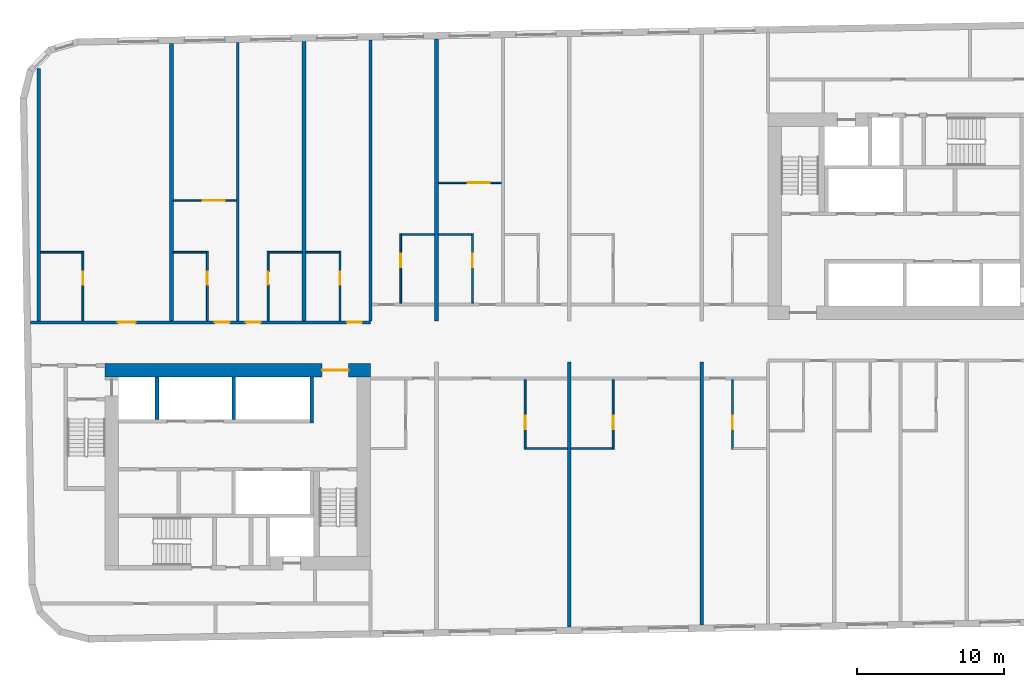
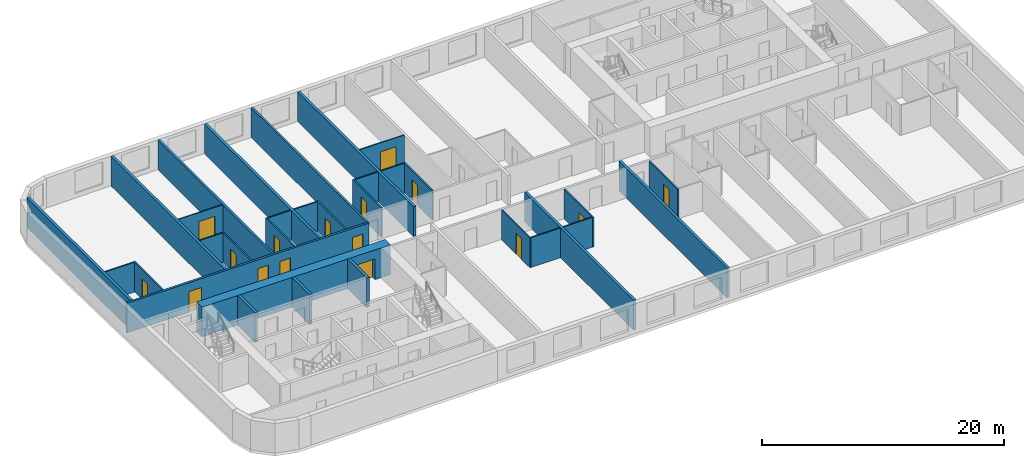
# One storey, part 3 of 11: 32 walls, 16 doors, 16 openings.
"""IFC4 building model written with IfcOpenShell, lengths in metres."""

from ifc_helpers import new_model, si_unit, direction, frame, frame_2d, origin, place, context, subcontext, project, spatial, rectangle, extrude, material, layer, layer_set, type_object, element, fill, save


model = new_model("IFC4")

# Units and contexts
model_context = context("Model", 3, precision=1e-05, world=origin(), true_north=direction((0.0, 1.0)))
body_context = subcontext(model_context, "Body", "Model", "MODEL_VIEW")
ifc_project = project(units=[si_unit("LENGTHUNIT", "METRE"), si_unit("AREAUNIT", "SQUARE_METRE"), si_unit("VOLUMEUNIT", "CUBIC_METRE"), si_unit("PLANEANGLEUNIT", "RADIAN"), si_unit("MASSUNIT", "GRAM", prefix="KILO")], contexts=[model_context])

# Site, building, storey
site_placement = place(None, origin())
site = spatial("IfcSite", under=ifc_project, at=site_placement, CompositionType="ELEMENT")
building_placement = place(site_placement, origin())
building = spatial("IfcBuilding", under=site, at=building_placement, Name="Kajstack Hotel Tower", CompositionType="ELEMENT")
storey_placement = place(building_placement, frame((0.0, 0.0, 254.0)))
storey = spatial("IfcBuildingStorey", under=building, at=storey_placement, Name="L63", CompositionType="ELEMENT", Elevation=254.0)

# Wall, opening, door
ifc_material_1 = material(Name="Concrete C60/75", Category="concrete")
ifc_layer_1 = layer(ifc_material_1, 0.89990234375)
ifc_layer_set_1 = layer_set([ifc_layer_1], Name="Core wall 900")
wall_type_1 = type_object("IfcWallType", Name="Core wall 900", PredefinedType="SHEAR", material=ifc_layer_set_1)
wall_1_placement = place(storey_placement, frame((-31.5, -1.949951171875, 0.0), z_axis=(0.0, 0.0, 1.0), x_axis=(1.0, 0.0, 0.0)))
wall_1 = element("IfcWall", 1, at=wall_1_placement, inside=storey, type_object=wall_type_1, Name="Core wall W RN", PredefinedType="SHEAR", context=body_context, shape_type="SweptSolid", body=[
    extrude(rectangle(XDim=18.0, YDim=0.89990234375, at=frame_2d((9.0, 0.0))), origin(), (0.0, 0.0, 1.0), 3.0),
])
opening_1_placement = place(wall_1_placement, frame((14.72509765625, 0.0, 0.0)))
opening_1 = element("IfcOpeningElement", 2, at=opening_1_placement, cuts=wall_1, Name="Opening 63W07", PredefinedType="OPENING", context=body_context, shape_type="SweptSolid", body=[
    extrude(rectangle(XDim=1.800048828125, YDim=2.10009765625, at=frame_2d((0.89990234375, 1.050048828125))), frame((0.0, 0.4599609375, 0.0), z_axis=(0.0, -1.0, 0.0), x_axis=(1.0, 0.0, 0.0)), (0.0, 0.0, 1.0), 0.919921875),
])
ifc_material_2 = material(Name="Glazed steel frame, fire-rated glass", Category="steel")
door_type_1 = type_object("IfcDoorType", Name="Lobby double door 1800", OperationType="DOUBLE_DOOR_DOUBLE_SWING", PredefinedType="DOOR", material=ifc_material_2)
door_1_placement = place(opening_1_placement, origin())
door_1 = element("IfcDoor", 3, at=door_1_placement, inside=storey, type_object=door_type_1, Name="Door 63W07", OperationType="DOUBLE_DOOR_DOUBLE_SWING", OverallHeight=2.10009765625, OverallWidth=1.800048828125, PredefinedType="DOOR", context=body_context, shape_type="SweptSolid", body=[
    extrude(rectangle(XDim=1.800048828125, YDim=2.10009765625, at=frame_2d((0.89990234375, 1.050048828125))), frame((0.0, 0.02490234375, 0.0), z_axis=(0.0, -1.0, 0.0), x_axis=(1.0, 0.0, 0.0)), (0.0, 0.0, 1.0), 0.050048828125),
])
fill(opening_1, door_1)

# Wall, openings, doors
ifc_material_3 = material(Name="Gypsum board on steel studs, mineral wool", Category="steel")
ifc_layer_2 = layer(ifc_material_3, 0.199951171875)
ifc_layer_set_2 = layer_set([ifc_layer_2], Name="Corridor wall 200")
wall_type_2 = type_object("IfcWallType", Name="Corridor wall 200", PredefinedType="PARTITIONING", material=ifc_layer_set_2)
wall_2_placement = place(storey_placement, frame((-36.56591796875, 1.300048828125, 0.0), z_axis=(0.0, 0.0, 1.0), x_axis=(1.0, 0.0, 0.0)))
wall_2 = element("IfcWall", 4, at=wall_2_placement, inside=storey, type_object=wall_type_2, Name="G-wall-L63-003", PredefinedType="PARTITIONING", context=body_context, shape_type="SweptSolid", body=[
    extrude(rectangle(XDim=23.06591796875, YDim=0.199951171875, at=frame_2d((11.532958984375, 0.0))), origin(), (0.0, 0.0, 1.0), 3.0),
])
opening_2_placement = place(wall_2_placement, frame((5.928955078125, 0.0, 0.0)))
opening_2 = element("IfcOpeningElement", 5, at=opening_2_placement, cuts=wall_2, Name="Opening 63001", PredefinedType="OPENING", context=body_context, shape_type="SweptSolid", body=[
    extrude(rectangle(XDim=1.199951171875, YDim=2.10009765625, at=frame_2d((0.60009765625, 1.050048828125))), frame((0.0, 0.10986328125, 0.0), z_axis=(0.0, -1.0, 0.0), x_axis=(1.0, 0.0, 0.0)), (0.0, 0.0, 1.0), 0.219970703125),
])
opening_3_placement = place(wall_2_placement, frame((12.51611328125, 0.0, 0.0)))
opening_3 = element("IfcOpeningElement", 6, at=opening_3_placement, cuts=wall_2, Name="Opening 63003", PredefinedType="OPENING", context=body_context, shape_type="SweptSolid", body=[
    extrude(rectangle(XDim=1.0, YDim=2.10009765625, at=frame_2d((0.5, 1.050048828125))), frame((0.0, 0.10986328125, 0.0), z_axis=(0.0, -1.0, 0.0), x_axis=(1.0, 0.0, 0.0)), (0.0, 0.0, 1.0), 0.219970703125),
])
opening_4_placement = place(wall_2_placement, frame((14.615966796875, 0.0, 0.0)))
opening_4 = element("IfcOpeningElement", 7, at=opening_4_placement, cuts=wall_2, Name="Opening 63006", PredefinedType="OPENING", context=body_context, shape_type="SweptSolid", body=[
    extrude(rectangle(XDim=1.0, YDim=2.10009765625, at=frame_2d((0.5, 1.050048828125))), frame((0.0, 0.10986328125, 0.0), z_axis=(0.0, -1.0, 0.0), x_axis=(1.0, 0.0, 0.0)), (0.0, 0.0, 1.0), 0.219970703125),
])
opening_5_placement = place(wall_2_placement, frame((21.490966796875, 0.0, 0.0)))
opening_5 = element("IfcOpeningElement", 8, at=opening_5_placement, cuts=wall_2, Name="Opening 63008", PredefinedType="OPENING", context=body_context, shape_type="SweptSolid", body=[
    extrude(rectangle(XDim=1.0, YDim=2.10009765625, at=frame_2d((0.5, 1.050048828125))), frame((0.0, 0.10986328125, 0.0), z_axis=(0.0, -1.0, 0.0), x_axis=(1.0, 0.0, 0.0)), (0.0, 0.0, 1.0), 0.219970703125),
])
ifc_material_4 = material(Name="Oak veneer on timber core, fire-rated leaf", Category="wood")
door_type_2 = type_object("IfcDoorType", Name="Flat entrance door 1000", OperationType="SINGLE_SWING_LEFT", PredefinedType="DOOR", material=ifc_material_4)
door_2_placement = place(opening_3_placement, origin())
door_2 = element("IfcDoor", 9, at=door_2_placement, inside=storey, type_object=door_type_2, Name="G-door-L63-03", OperationType="SINGLE_SWING_LEFT", OverallHeight=2.10009765625, OverallWidth=1.0, PredefinedType="DOOR", context=body_context, shape_type="SweptSolid", body=[
    extrude(rectangle(XDim=1.0, YDim=2.10009765625, at=frame_2d((0.5, 1.050048828125))), frame((0.0, 0.02490234375, 0.0), z_axis=(0.0, -1.0, 0.0), x_axis=(1.0, 0.0, 0.0)), (0.0, 0.0, 1.0), 0.050048828125),
])
fill(opening_3, door_2)
door_3_placement = place(opening_4_placement, origin())
door_3 = element("IfcDoor", 10, at=door_3_placement, inside=storey, type_object=door_type_2, Name="G-door-L63-06", OperationType="SINGLE_SWING_LEFT", OverallHeight=2.10009765625, OverallWidth=1.0, PredefinedType="DOOR", context=body_context, shape_type="SweptSolid", body=[
    extrude(rectangle(XDim=1.0, YDim=2.10009765625, at=frame_2d((0.5, 1.050048828125))), frame((0.0, 0.02490234375, 0.0), z_axis=(0.0, -1.0, 0.0), x_axis=(1.0, 0.0, 0.0)), (0.0, 0.0, 1.0), 0.050048828125),
])
fill(opening_4, door_3)
door_4_placement = place(opening_5_placement, origin())
door_4 = element("IfcDoor", 11, at=door_4_placement, inside=storey, type_object=door_type_2, Name="G-door-L63-08", OperationType="SINGLE_SWING_LEFT", OverallHeight=2.10009765625, OverallWidth=1.0, PredefinedType="DOOR", context=body_context, shape_type="SweptSolid", body=[
    extrude(rectangle(XDim=1.0, YDim=2.10009765625, at=frame_2d((0.5, 1.050048828125))), frame((0.0, 0.02490234375, 0.0), z_axis=(0.0, -1.0, 0.0), x_axis=(1.0, 0.0, 0.0)), (0.0, 0.0, 1.0), 0.050048828125),
])
fill(opening_5, door_4)
door_type_3 = type_object("IfcDoorType", Name="Flat entrance door 1200", OperationType="SINGLE_SWING_LEFT", PredefinedType="DOOR", material=ifc_material_4)
door_5_placement = place(opening_2_placement, origin())
door_5 = element("IfcDoor", 12, at=door_5_placement, inside=storey, type_object=door_type_3, Name="G-door-L63-01", OperationType="SINGLE_SWING_RIGHT", OverallHeight=2.10009765625, OverallWidth=1.199951171875, PredefinedType="DOOR", context=body_context, shape_type="SweptSolid", body=[
    extrude(rectangle(XDim=1.199951171875, YDim=2.10009765625, at=frame_2d((0.60009765625, 1.050048828125))), frame((0.0, 0.02490234375, 0.0), z_axis=(0.0, -1.0, 0.0), x_axis=(1.0, 0.0, 0.0)), (0.0, 0.0, 1.0), 0.050048828125),
])
fill(opening_2, door_5)

# Walls
ifc_material_5 = material(Name="Twin-frame gypsum board on steel studs, mineral wool", Category="steel")
ifc_layer_3 = layer(ifc_material_5, 0.199951171875)
ifc_layer_set_3 = layer_set([ifc_layer_3], Name="Demising wall 200")
wall_type_3 = type_object("IfcWallType", Name="Demising wall 200", PredefinedType="PARTITIONING", material=ifc_layer_set_3)
wall_3_placement = place(storey_placement, frame((-22.5, 1.39990234375, 0.0), z_axis=(0.0, 0.0, 1.0), x_axis=(0.0, 1.0, 0.0)))
element("IfcWall", 13, at=wall_3_placement, inside=storey, type_object=wall_type_3, Name="G-wall-L63-007", PredefinedType="PARTITIONING", context=body_context, shape_type="SweptSolid", body=[
    extrude(rectangle(XDim=18.908203125, YDim=0.199951171875, at=frame_2d((9.4541015625, 0.0))), origin(), (0.0, 0.0, 1.0), 3.0),
])
wall_4_placement = place(storey_placement, frame((-13.5, 1.39990234375, 0.0), z_axis=(0.0, 0.0, 1.0), x_axis=(0.0, 1.0, 0.0)))
element("IfcWall", 14, at=wall_4_placement, inside=storey, type_object=wall_type_3, Name="G-wall-L63-013", PredefinedType="PARTITIONING", context=body_context, shape_type="SweptSolid", body=[
    extrude(rectangle(XDim=19.065185546875, YDim=0.199951171875, at=frame_2d((9.53271484375, 0.0))), origin(), (0.0, 0.0, 1.0), 3.0),
])

# Wall, opening, door
ifc_material_6 = material(Name="Gypsum board and tiled backer on steel studs", Category="steel")
ifc_layer_4 = layer(ifc_material_6, 0.125)
ifc_layer_set_4 = layer_set([ifc_layer_4], Name="En-suite wall 125")
wall_type_4 = type_object("IfcWallType", Name="En-suite wall 125", PredefinedType="PARTITIONING", material=ifc_layer_set_4)
wall_5_placement = place(storey_placement, frame((-33.012939453125, 1.39990234375, 0.0), z_axis=(0.0, 0.0, 1.0), x_axis=(0.0, 1.0, 0.0)))
wall_5 = element("IfcWall", 15, at=wall_5_placement, inside=storey, type_object=wall_type_4, Name="G-wall-L63-005", PredefinedType="PARTITIONING", context=body_context, shape_type="SweptSolid", body=[
    extrude(rectangle(XDim=4.72509765625, YDim=0.125, at=frame_2d((2.362548828125, 0.0))), origin(), (0.0, 0.0, 1.0), 3.0),
])
opening_6_placement = place(wall_5_placement, frame((2.449951171875, 0.0, 0.0)))
opening_6 = element("IfcOpeningElement", 16, at=opening_6_placement, cuts=wall_5, Name="Opening 63002", PredefinedType="OPENING", context=body_context, shape_type="SweptSolid", body=[
    extrude(rectangle(XDim=0.89990234375, YDim=2.10009765625, at=frame_2d((0.449951171875, 1.050048828125))), frame((0.0, 0.072509765625, 0.0), z_axis=(0.0, -1.0, 0.0), x_axis=(1.0, 0.0, 0.0)), (0.0, 0.0, 1.0), 0.14501953125),
])
ifc_material_7 = material(Name="Painted timber door leaf", Category="wood")
door_type_4 = type_object("IfcDoorType", Name="Room door 900", OperationType="SINGLE_SWING_LEFT", PredefinedType="DOOR", material=ifc_material_7)
door_6_placement = place(opening_6_placement, origin())
door_6 = element("IfcDoor", 17, at=door_6_placement, inside=storey, type_object=door_type_4, Name="G-door-L63-02", OperationType="SINGLE_SWING_LEFT", OverallHeight=2.10009765625, OverallWidth=0.89990234375, PredefinedType="DOOR", context=body_context, shape_type="SweptSolid", body=[
    extrude(rectangle(XDim=0.89990234375, YDim=2.10009765625, at=frame_2d((0.449951171875, 1.050048828125))), frame((0.0, 0.02490234375, 0.0), z_axis=(0.0, -1.0, 0.0), x_axis=(1.0, 0.0, 0.0)), (0.0, 0.0, 1.0), 0.050048828125),
])
fill(opening_6, door_6)

# Wall
wall_6_placement = place(storey_placement, frame((-35.875, 6.06201171875, 0.0), z_axis=(0.0, 0.0, 1.0), x_axis=(1.0, 0.0, 0.0)))
element("IfcWall", 18, at=wall_6_placement, inside=storey, type_object=wall_type_4, Name="G-wall-L63-006", PredefinedType="PARTITIONING", context=body_context, shape_type="SweptSolid", body=[
    extrude(rectangle(XDim=2.800048828125, YDim=0.125, at=frame_2d((1.39990234375, 0.0))), origin(), (0.0, 0.0, 1.0), 3.0),
])

# Wall, opening, door
wall_7_placement = place(storey_placement, frame((-24.56201171875, 1.39990234375, 0.0), z_axis=(0.0, 0.0, 1.0), x_axis=(0.0, 1.0, 0.0)))
wall_7 = element("IfcWall", 19, at=wall_7_placement, inside=storey, type_object=wall_type_4, Name="G-wall-L63-008", PredefinedType="PARTITIONING", context=body_context, shape_type="SweptSolid", body=[
    extrude(rectangle(XDim=4.72509765625, YDim=0.125, at=frame_2d((2.362548828125, 0.0))), origin(), (0.0, 0.0, 1.0), 3.0),
])
opening_7_placement = place(wall_7_placement, frame((2.449951171875, 0.0, 0.0)))
opening_7 = element("IfcOpeningElement", 20, at=opening_7_placement, cuts=wall_7, Name="Opening 63004", PredefinedType="OPENING", context=body_context, shape_type="SweptSolid", body=[
    extrude(rectangle(XDim=0.89990234375, YDim=2.10009765625, at=frame_2d((0.449951171875, 1.050048828125))), frame((0.0, 0.072509765625, 0.0), z_axis=(0.0, -1.0, 0.0), x_axis=(1.0, 0.0, 0.0)), (0.0, 0.0, 1.0), 0.14501953125),
])
door_7_placement = place(opening_7_placement, origin())
door_7 = element("IfcDoor", 21, at=door_7_placement, inside=storey, type_object=door_type_4, Name="G-door-L63-04", OperationType="SINGLE_SWING_RIGHT", OverallHeight=2.10009765625, OverallWidth=0.89990234375, PredefinedType="DOOR", context=body_context, shape_type="SweptSolid", body=[
    extrude(rectangle(XDim=0.89990234375, YDim=2.10009765625, at=frame_2d((0.449951171875, 1.050048828125))), frame((0.0, 0.02490234375, 0.0), z_axis=(0.0, -1.0, 0.0), x_axis=(1.0, 0.0, 0.0)), (0.0, 0.0, 1.0), 0.050048828125),
])
fill(opening_7, door_7)

# Wall
wall_8_placement = place(storey_placement, frame((-26.875, 6.06201171875, 0.0), z_axis=(0.0, 0.0, 1.0), x_axis=(1.0, 0.0, 0.0)))
element("IfcWall", 22, at=wall_8_placement, inside=storey, type_object=wall_type_4, Name="G-wall-L63-009", PredefinedType="PARTITIONING", context=body_context, shape_type="SweptSolid", body=[
    extrude(rectangle(XDim=2.25, YDim=0.125, at=frame_2d((1.125, 0.0))), origin(), (0.0, 0.0, 1.0), 3.0),
])

# Wall, opening, door
wall_9_placement = place(storey_placement, frame((-20.43798828125, 1.39990234375, 0.0), z_axis=(0.0, 0.0, 1.0), x_axis=(0.0, 1.0, 0.0)))
wall_9 = element("IfcWall", 23, at=wall_9_placement, inside=storey, type_object=wall_type_4, Name="G-wall-L63-011", PredefinedType="PARTITIONING", context=body_context, shape_type="SweptSolid", body=[
    extrude(rectangle(XDim=4.72509765625, YDim=0.125, at=frame_2d((2.362548828125, 0.0))), origin(), (0.0, 0.0, 1.0), 3.0),
])
opening_8_placement = place(wall_9_placement, frame((2.449951171875, 0.0, 0.0)))
opening_8 = element("IfcOpeningElement", 24, at=opening_8_placement, cuts=wall_9, Name="Opening 63007", PredefinedType="OPENING", context=body_context, shape_type="SweptSolid", body=[
    extrude(rectangle(XDim=0.89990234375, YDim=2.10009765625, at=frame_2d((0.449951171875, 1.050048828125))), frame((0.0, 0.072509765625, 0.0), z_axis=(0.0, -1.0, 0.0), x_axis=(1.0, 0.0, 0.0)), (0.0, 0.0, 1.0), 0.14501953125),
])
door_8_placement = place(opening_8_placement, origin())
door_8 = element("IfcDoor", 25, at=door_8_placement, inside=storey, type_object=door_type_4, Name="G-door-L63-07", OperationType="SINGLE_SWING_LEFT", OverallHeight=2.10009765625, OverallWidth=0.89990234375, PredefinedType="DOOR", context=body_context, shape_type="SweptSolid", body=[
    extrude(rectangle(XDim=0.89990234375, YDim=2.10009765625, at=frame_2d((0.449951171875, 1.050048828125))), frame((0.0, 0.02490234375, 0.0), z_axis=(0.0, -1.0, 0.0), x_axis=(1.0, 0.0, 0.0)), (0.0, 0.0, 1.0), 0.050048828125),
])
fill(opening_8, door_8)

# Wall
wall_10_placement = place(storey_placement, frame((-20.375, 6.06201171875, 0.0), z_axis=(0.0, 0.0, 1.0), x_axis=(1.0, 0.0, 0.0)))
element("IfcWall", 26, at=wall_10_placement, inside=storey, type_object=wall_type_4, Name="G-wall-L63-012", PredefinedType="PARTITIONING", context=body_context, shape_type="SweptSolid", body=[
    extrude(rectangle(XDim=2.25, YDim=0.125, at=frame_2d((1.125, 0.0))), origin(), (0.0, 0.0, 1.0), 3.0),
])

# Wall, opening, door
wall_11_placement = place(storey_placement, frame((-15.56201171875, 1.39990234375, 0.0), z_axis=(0.0, 0.0, 1.0), x_axis=(0.0, 1.0, 0.0)))
wall_11 = element("IfcWall", 27, at=wall_11_placement, inside=storey, type_object=wall_type_4, Name="G-wall-L63-014", PredefinedType="PARTITIONING", context=body_context, shape_type="SweptSolid", body=[
    extrude(rectangle(XDim=4.72509765625, YDim=0.125, at=frame_2d((2.362548828125, 0.0))), origin(), (0.0, 0.0, 1.0), 3.0),
])
opening_9_placement = place(wall_11_placement, frame((2.449951171875, 0.0, 0.0)))
opening_9 = element("IfcOpeningElement", 28, at=opening_9_placement, cuts=wall_11, Name="Opening 63009", PredefinedType="OPENING", context=body_context, shape_type="SweptSolid", body=[
    extrude(rectangle(XDim=0.89990234375, YDim=2.10009765625, at=frame_2d((0.449951171875, 1.050048828125))), frame((0.0, 0.072509765625, 0.0), z_axis=(0.0, -1.0, 0.0), x_axis=(1.0, 0.0, 0.0)), (0.0, 0.0, 1.0), 0.14501953125),
])
door_9_placement = place(opening_9_placement, origin())
door_9 = element("IfcDoor", 29, at=door_9_placement, inside=storey, type_object=door_type_4, Name="G-door-L63-09", OperationType="SINGLE_SWING_RIGHT", OverallHeight=2.10009765625, OverallWidth=0.89990234375, PredefinedType="DOOR", context=body_context, shape_type="SweptSolid", body=[
    extrude(rectangle(XDim=0.89990234375, YDim=2.10009765625, at=frame_2d((0.449951171875, 1.050048828125))), frame((0.0, 0.02490234375, 0.0), z_axis=(0.0, -1.0, 0.0), x_axis=(1.0, 0.0, 0.0)), (0.0, 0.0, 1.0), 0.050048828125),
])
fill(opening_9, door_9)

# Wall
wall_12_placement = place(storey_placement, frame((-17.875, 6.06201171875, 0.0), z_axis=(0.0, 0.0, 1.0), x_axis=(1.0, 0.0, 0.0)))
element("IfcWall", 30, at=wall_12_placement, inside=storey, type_object=wall_type_4, Name="G-wall-L63-015", PredefinedType="PARTITIONING", context=body_context, shape_type="SweptSolid", body=[
    extrude(rectangle(XDim=2.25, YDim=0.125, at=frame_2d((1.125, 0.0))), origin(), (0.0, 0.0, 1.0), 3.0),
])

# Wall, opening, door
wall_13_placement = place(storey_placement, frame((-11.43798828125, 2.60009765625, 0.0), z_axis=(0.0, 0.0, 1.0), x_axis=(0.0, 1.0, 0.0)))
wall_13 = element("IfcWall", 31, at=wall_13_placement, inside=storey, type_object=wall_type_4, Name="G-wall-L63-016", PredefinedType="PARTITIONING", context=body_context, shape_type="SweptSolid", body=[
    extrude(rectangle(XDim=4.724853515625, YDim=0.125, at=frame_2d((2.3623046875, 0.0))), origin(), (0.0, 0.0, 1.0), 3.0),
])
opening_10_placement = place(wall_13_placement, frame((2.449951171875, 0.0, 0.0)))
opening_10 = element("IfcOpeningElement", 32, at=opening_10_placement, cuts=wall_13, Name="Opening 63011", PredefinedType="OPENING", context=body_context, shape_type="SweptSolid", body=[
    extrude(rectangle(XDim=0.89990234375, YDim=2.10009765625, at=frame_2d((0.449951171875, 1.050048828125))), frame((0.0, 0.072509765625, 0.0), z_axis=(0.0, -1.0, 0.0), x_axis=(1.0, 0.0, 0.0)), (0.0, 0.0, 1.0), 0.14501953125),
])
door_10_placement = place(opening_10_placement, origin())
door_10 = element("IfcDoor", 33, at=door_10_placement, inside=storey, type_object=door_type_4, Name="G-door-L63-11", OperationType="SINGLE_SWING_RIGHT", OverallHeight=2.10009765625, OverallWidth=0.89990234375, PredefinedType="DOOR", context=body_context, shape_type="SweptSolid", body=[
    extrude(rectangle(XDim=0.89990234375, YDim=2.10009765625, at=frame_2d((0.449951171875, 1.050048828125))), frame((0.0, 0.02490234375, 0.0), z_axis=(0.0, -1.0, 0.0), x_axis=(1.0, 0.0, 0.0)), (0.0, 0.0, 1.0), 0.050048828125),
])
fill(opening_10, door_10)

# Wall
wall_14_placement = place(storey_placement, frame((-11.375, 7.261962890625, 0.0), z_axis=(0.0, 0.0, 1.0), x_axis=(1.0, 0.0, 0.0)))
element("IfcWall", 34, at=wall_14_placement, inside=storey, type_object=wall_type_4, Name="G-wall-L63-017", PredefinedType="PARTITIONING", context=body_context, shape_type="SweptSolid", body=[
    extrude(rectangle(XDim=2.25, YDim=0.125, at=frame_2d((1.125, 0.0))), origin(), (0.0, 0.0, 1.0), 3.0),
])

# Wall, opening, door
wall_15_placement = place(storey_placement, frame((-6.56201171875, 2.60009765625, 0.0), z_axis=(0.0, 0.0, 1.0), x_axis=(0.0, 1.0, 0.0)))
wall_15 = element("IfcWall", 35, at=wall_15_placement, inside=storey, type_object=wall_type_4, Name="G-wall-L63-019", PredefinedType="PARTITIONING", context=body_context, shape_type="SweptSolid", body=[
    extrude(rectangle(XDim=4.724853515625, YDim=0.125, at=frame_2d((2.3623046875, 0.0))), origin(), (0.0, 0.0, 1.0), 3.0),
])
opening_11_placement = place(wall_15_placement, frame((2.449951171875, 0.0, 0.0)))
opening_11 = element("IfcOpeningElement", 36, at=opening_11_placement, cuts=wall_15, Name="Opening 63013", PredefinedType="OPENING", context=body_context, shape_type="SweptSolid", body=[
    extrude(rectangle(XDim=0.89990234375, YDim=2.10009765625, at=frame_2d((0.449951171875, 1.050048828125))), frame((0.0, 0.072509765625, 0.0), z_axis=(0.0, -1.0, 0.0), x_axis=(1.0, 0.0, 0.0)), (0.0, 0.0, 1.0), 0.14501953125),
])
door_11_placement = place(opening_11_placement, origin())
door_11 = element("IfcDoor", 37, at=door_11_placement, inside=storey, type_object=door_type_4, Name="G-door-L63-13", OperationType="SINGLE_SWING_LEFT", OverallHeight=2.10009765625, OverallWidth=0.89990234375, PredefinedType="DOOR", context=body_context, shape_type="SweptSolid", body=[
    extrude(rectangle(XDim=0.89990234375, YDim=2.10009765625, at=frame_2d((0.449951171875, 1.050048828125))), frame((0.0, 0.02490234375, 0.0), z_axis=(0.0, -1.0, 0.0), x_axis=(1.0, 0.0, 0.0)), (0.0, 0.0, 1.0), 0.050048828125),
])
fill(opening_11, door_11)

# Wall
wall_16_placement = place(storey_placement, frame((-8.875, 7.261962890625, 0.0), z_axis=(0.0, 0.0, 1.0), x_axis=(1.0, 0.0, 0.0)))
element("IfcWall", 38, at=wall_16_placement, inside=storey, type_object=wall_type_4, Name="G-wall-L63-020", PredefinedType="PARTITIONING", context=body_context, shape_type="SweptSolid", body=[
    extrude(rectangle(XDim=2.25, YDim=0.125, at=frame_2d((1.125, 0.0))), origin(), (0.0, 0.0, 1.0), 3.0),
])

# Wall, opening, door
wall_17_placement = place(storey_placement, frame((-2.987060546875, -7.324951171875, 0.0), z_axis=(0.0, 0.0, 1.0), x_axis=(0.0, 1.0, 0.0)))
wall_17 = element("IfcWall", 39, at=wall_17_placement, inside=storey, type_object=wall_type_4, Name="G-wall-L63-032", PredefinedType="PARTITIONING", context=body_context, shape_type="SweptSolid", body=[
    extrude(rectangle(XDim=4.724853515625, YDim=0.125, at=frame_2d((2.3623046875, 0.0))), origin(), (0.0, 0.0, 1.0), 3.0),
])
opening_12_placement = place(wall_17_placement, frame((1.375, 0.0, 0.0)))
opening_12 = element("IfcOpeningElement", 40, at=opening_12_placement, cuts=wall_17, Name="Opening 63024", PredefinedType="OPENING", context=body_context, shape_type="SweptSolid", body=[
    extrude(rectangle(XDim=0.89990234375, YDim=2.10009765625, at=frame_2d((0.449951171875, 1.050048828125))), frame((0.0, 0.072509765625, 0.0), z_axis=(0.0, -1.0, 0.0), x_axis=(1.0, 0.0, 0.0)), (0.0, 0.0, 1.0), 0.14501953125),
])
door_12_placement = place(opening_12_placement, origin())
door_12 = element("IfcDoor", 41, at=door_12_placement, inside=storey, type_object=door_type_4, Name="G-door-L63-24", OperationType="SINGLE_SWING_RIGHT", OverallHeight=2.10009765625, OverallWidth=0.89990234375, PredefinedType="DOOR", context=body_context, shape_type="SweptSolid", body=[
    extrude(rectangle(XDim=0.89990234375, YDim=2.10009765625, at=frame_2d((0.449951171875, 1.050048828125))), frame((0.0, 0.02490234375, 0.0), z_axis=(0.0, -1.0, 0.0), x_axis=(1.0, 0.0, 0.0)), (0.0, 0.0, 1.0), 0.050048828125),
])
fill(opening_12, door_12)

# Wall
wall_18_placement = place(storey_placement, frame((-2.925048828125, -7.261962890625, 0.0), z_axis=(0.0, 0.0, 1.0), x_axis=(1.0, 0.0, 0.0)))
element("IfcWall", 42, at=wall_18_placement, inside=storey, type_object=wall_type_4, Name="G-wall-L63-033", PredefinedType="PARTITIONING", context=body_context, shape_type="SweptSolid", body=[
    extrude(rectangle(XDim=2.800048828125, YDim=0.125, at=frame_2d((1.39990234375, 0.0))), origin(), (0.0, 0.0, 1.0), 3.0),
])

# Wall, opening, door
wall_19_placement = place(storey_placement, frame((2.987060546875, -7.324951171875, 0.0), z_axis=(0.0, 0.0, 1.0), x_axis=(0.0, 1.0, 0.0)))
wall_19 = element("IfcWall", 43, at=wall_19_placement, inside=storey, type_object=wall_type_4, Name="G-wall-L63-034", PredefinedType="PARTITIONING", context=body_context, shape_type="SweptSolid", body=[
    extrude(rectangle(XDim=4.724853515625, YDim=0.125, at=frame_2d((2.3623046875, 0.0))), origin(), (0.0, 0.0, 1.0), 3.0),
])
opening_13_placement = place(wall_19_placement, frame((1.375, 0.0, 0.0)))
opening_13 = element("IfcOpeningElement", 44, at=opening_13_placement, cuts=wall_19, Name="Opening 63026", PredefinedType="OPENING", context=body_context, shape_type="SweptSolid", body=[
    extrude(rectangle(XDim=0.89990234375, YDim=2.10009765625, at=frame_2d((0.449951171875, 1.050048828125))), frame((0.0, 0.072509765625, 0.0), z_axis=(0.0, -1.0, 0.0), x_axis=(1.0, 0.0, 0.0)), (0.0, 0.0, 1.0), 0.14501953125),
])
door_13_placement = place(opening_13_placement, origin())
door_13 = element("IfcDoor", 45, at=door_13_placement, inside=storey, type_object=door_type_4, Name="G-door-L63-26", OperationType="SINGLE_SWING_RIGHT", OverallHeight=2.10009765625, OverallWidth=0.89990234375, PredefinedType="DOOR", context=body_context, shape_type="SweptSolid", body=[
    extrude(rectangle(XDim=0.89990234375, YDim=2.10009765625, at=frame_2d((0.449951171875, 1.050048828125))), frame((0.0, 0.02490234375, 0.0), z_axis=(0.0, -1.0, 0.0), x_axis=(1.0, 0.0, 0.0)), (0.0, 0.0, 1.0), 0.050048828125),
])
fill(opening_13, door_13)

# Wall
wall_20_placement = place(storey_placement, frame((0.125, -7.261962890625, 0.0), z_axis=(0.0, 0.0, 1.0), x_axis=(1.0, 0.0, 0.0)))
element("IfcWall", 46, at=wall_20_placement, inside=storey, type_object=wall_type_4, Name="G-wall-L63-035", PredefinedType="PARTITIONING", context=body_context, shape_type="SweptSolid", body=[
    extrude(rectangle(XDim=2.800048828125, YDim=0.125, at=frame_2d((1.39990234375, 0.0))), origin(), (0.0, 0.0, 1.0), 3.0),
])

# Wall, opening, door
wall_21_placement = place(storey_placement, frame((11.087890625, -7.324951171875, 0.0), z_axis=(0.0, 0.0, 1.0), x_axis=(0.0, 1.0, 0.0)))
wall_21 = element("IfcWall", 47, at=wall_21_placement, inside=storey, type_object=wall_type_4, Name="G-wall-L63-037", PredefinedType="PARTITIONING", context=body_context, shape_type="SweptSolid", body=[
    extrude(rectangle(XDim=4.724853515625, YDim=0.125, at=frame_2d((2.3623046875, 0.0))), origin(), (0.0, 0.0, 1.0), 3.0),
])
opening_14_placement = place(wall_21_placement, frame((1.375, 0.0, 0.0)))
opening_14 = element("IfcOpeningElement", 48, at=opening_14_placement, cuts=wall_21, Name="Opening 63028", PredefinedType="OPENING", context=body_context, shape_type="SweptSolid", body=[
    extrude(rectangle(XDim=0.89990234375, YDim=2.10009765625, at=frame_2d((0.449951171875, 1.050048828125))), frame((0.0, 0.072509765625, 0.0), z_axis=(0.0, -1.0, 0.0), x_axis=(1.0, 0.0, 0.0)), (0.0, 0.0, 1.0), 0.14501953125),
])
door_14_placement = place(opening_14_placement, origin())
door_14 = element("IfcDoor", 49, at=door_14_placement, inside=storey, type_object=door_type_4, Name="G-door-L63-28", OperationType="SINGLE_SWING_RIGHT", OverallHeight=2.10009765625, OverallWidth=0.89990234375, PredefinedType="DOOR", context=body_context, shape_type="SweptSolid", body=[
    extrude(rectangle(XDim=0.89990234375, YDim=2.10009765625, at=frame_2d((0.449951171875, 1.050048828125))), frame((0.0, 0.02490234375, 0.0), z_axis=(0.0, -1.0, 0.0), x_axis=(1.0, 0.0, 0.0)), (0.0, 0.0, 1.0), 0.050048828125),
])
fill(opening_14, door_14)

# Wall
ifc_material_8 = material(Name="Concrete C50/60", Category="concrete")
ifc_layer_5 = layer(ifc_material_8, 0.300048828125)
ifc_layer_set_5 = layer_set([ifc_layer_5], Name="Hoistway divider wall 300")
wall_type_5 = type_object("IfcWallType", Name="Hoistway divider wall 300", PredefinedType="SHEAR", material=ifc_layer_set_5)
wall_22_placement = place(storey_placement, frame((-22.77490234375, -5.300048828125, 0.0), z_axis=(0.0, 0.0, 1.0), x_axis=(0.0, 1.0, 0.0)))
element("IfcWall", 50, at=wall_22_placement, inside=storey, type_object=wall_type_5, Name="Core wall W AP2", PredefinedType="SHEAR", context=body_context, shape_type="SweptSolid", body=[
    extrude(rectangle(XDim=2.900146484375, YDim=0.25, at=frame_2d((1.4501953125, 0.0))), origin(), (0.0, 0.0, 1.0), 3.0),
])

# Wall, opening, door
ifc_material_9 = material(Name="Gypsum board on steel studs", Category="steel")
ifc_layer_6 = layer(ifc_material_9, 0.10009765625)
ifc_layer_set_6 = layer_set([ifc_layer_6], Name="Partition 100")
wall_type_6 = type_object("IfcWallType", Name="Partition 100", PredefinedType="PARTITIONING", material=ifc_layer_set_6)
wall_23_placement = place(storey_placement, frame((-26.875, 9.574951171875, 0.0), z_axis=(0.0, 0.0, 1.0), x_axis=(1.0, 0.0, 0.0)))
wall_23 = element("IfcWall", 51, at=wall_23_placement, inside=storey, type_object=wall_type_6, Name="G-wall-L63-010", PredefinedType="PARTITIONING", context=body_context, shape_type="SweptSolid", body=[
    extrude(rectangle(XDim=4.27490234375, YDim=0.10009765625, at=frame_2d((2.137451171875, 0.0))), origin(), (0.0, 0.0, 1.0), 3.0),
])
opening_15_placement = place(wall_23_placement, frame((1.988037109375, 0.0, 0.0)))
opening_15 = element("IfcOpeningElement", 52, at=opening_15_placement, cuts=wall_23, Name="Opening 63005", PredefinedType="OPENING", context=body_context, shape_type="SweptSolid", body=[
    extrude(rectangle(XDim=1.5, YDim=2.10009765625, at=frame_2d((0.75, 1.050048828125))), frame((0.0, 0.06005859375, 0.0), z_axis=(0.0, -1.0, 0.0), x_axis=(1.0, 0.0, 0.0)), (0.0, 0.0, 1.0), 0.1201171875),
])
ifc_material_10 = material(Name="Painted timber door leaves, glazed panels", Category="wood")
door_type_5 = type_object("IfcDoorType", Name="Double door 1500", OperationType="SINGLE_SWING_LEFT", PredefinedType="DOOR", material=ifc_material_10)
door_15_placement = place(opening_15_placement, origin())
door_15 = element("IfcDoor", 53, at=door_15_placement, inside=storey, type_object=door_type_5, Name="G-door-L63-05", OperationType="SINGLE_SWING_RIGHT", OverallHeight=2.10009765625, OverallWidth=1.5, PredefinedType="DOOR", context=body_context, shape_type="SweptSolid", body=[
    extrude(rectangle(XDim=1.5, YDim=2.10009765625, at=frame_2d((0.75, 1.050048828125))), frame((0.0, 0.02490234375, 0.0), z_axis=(0.0, -1.0, 0.0), x_axis=(1.0, 0.0, 0.0)), (0.0, 0.0, 1.0), 0.050048828125),
])
fill(opening_15, door_15)

wall_24_placement = place(storey_placement, frame((-8.875, 10.77490234375, 0.0), z_axis=(0.0, 0.0, 1.0), x_axis=(1.0, 0.0, 0.0)))
wall_24 = element("IfcWall", 54, at=wall_24_placement, inside=storey, type_object=wall_type_6, Name="G-wall-L63-021", PredefinedType="PARTITIONING", context=body_context, shape_type="SweptSolid", body=[
    extrude(rectangle(XDim=4.27490234375, YDim=0.10009765625, at=frame_2d((2.137451171875, 0.0))), origin(), (0.0, 0.0, 1.0), 3.0),
])
opening_16_placement = place(wall_24_placement, frame((1.987060546875, 0.0, 0.0)))
opening_16 = element("IfcOpeningElement", 55, at=opening_16_placement, cuts=wall_24, Name="Opening 63014", PredefinedType="OPENING", context=body_context, shape_type="SweptSolid", body=[
    extrude(rectangle(XDim=1.5, YDim=2.10009765625, at=frame_2d((0.75, 1.050048828125))), frame((0.0, 0.06005859375, 0.0), z_axis=(0.0, -1.0, 0.0), x_axis=(1.0, 0.0, 0.0)), (0.0, 0.0, 1.0), 0.1201171875),
])
door_16_placement = place(opening_16_placement, origin())
door_16 = element("IfcDoor", 56, at=door_16_placement, inside=storey, type_object=door_type_5, Name="G-door-L63-14", OperationType="SINGLE_SWING_RIGHT", OverallHeight=2.10009765625, OverallWidth=1.5, PredefinedType="DOOR", context=body_context, shape_type="SweptSolid", body=[
    extrude(rectangle(XDim=1.5, YDim=2.10009765625, at=frame_2d((0.75, 1.050048828125))), frame((0.0, 0.02490234375, 0.0), z_axis=(0.0, -1.0, 0.0), x_axis=(1.0, 0.0, 0.0)), (0.0, 0.0, 1.0), 0.050048828125),
])
fill(opening_16, door_16)

# Walls
ifc_material_11 = material(Name="Concrete C45/55", Category="concrete")
ifc_layer_7 = layer(ifc_material_11, 0.25)
ifc_layer_set_7 = layer_set([ifc_layer_7], Name="RC cross wall 250 C45/55")
wall_type_7 = type_object("IfcWallType", Name="RC cross wall 250 C45/55", PredefinedType="SHEAR", material=ifc_layer_set_7)
wall_25_placement = place(storey_placement, frame((-36.0, 1.39990234375, 0.0), z_axis=(0.0, 0.0, 1.0), x_axis=(0.0, 1.0, 0.0)))
element("IfcWall", 57, at=wall_25_placement, inside=storey, type_object=wall_type_7, Name="S-wall-L63-01", PredefinedType="SHEAR", context=body_context, shape_type="SweptSolid", body=[
    extrude(rectangle(XDim=17.12548828125, YDim=0.25, at=frame_2d((8.562744140625, 0.0))), origin(), (0.0, 0.0, 1.0), 3.0),
])
wall_26_placement = place(storey_placement, frame((-27.0, 1.39990234375, 0.0), z_axis=(0.0, 0.0, 1.0), x_axis=(0.0, 1.0, 0.0)))
element("IfcWall", 58, at=wall_26_placement, inside=storey, type_object=wall_type_7, Name="S-wall-L63-02", PredefinedType="SHEAR", context=body_context, shape_type="SweptSolid", body=[
    extrude(rectangle(XDim=18.8173828125, YDim=0.25, at=frame_2d((9.40869140625, 0.0))), origin(), (0.0, 0.0, 1.0), 3.0),
])
wall_27_placement = place(storey_placement, frame((-18.0, 1.39990234375, 0.0), z_axis=(0.0, 0.0, 1.0), x_axis=(0.0, 1.0, 0.0)))
element("IfcWall", 59, at=wall_27_placement, inside=storey, type_object=wall_type_7, Name="S-wall-L63-03", PredefinedType="SHEAR", context=body_context, shape_type="SweptSolid", body=[
    extrude(rectangle(XDim=18.974365234375, YDim=0.25, at=frame_2d((9.4873046875, 0.0))), origin(), (0.0, 0.0, 1.0), 3.0),
])
wall_28_placement = place(storey_placement, frame((-9.0, 1.39990234375, 0.0), z_axis=(0.0, 0.0, 1.0), x_axis=(0.0, 1.0, 0.0)))
element("IfcWall", 60, at=wall_28_placement, inside=storey, type_object=wall_type_7, Name="S-wall-L63-05", PredefinedType="SHEAR", context=body_context, shape_type="SweptSolid", body=[
    extrude(rectangle(XDim=19.131591796875, YDim=0.25, at=frame_2d((9.56591796875, 0.0))), origin(), (0.0, 0.0, 1.0), 3.0),
])
wall_29_placement = place(storey_placement, frame((0.0, -19.393310546875, 0.0), z_axis=(0.0, 0.0, 1.0), x_axis=(0.0, 1.0, 0.0)))
element("IfcWall", 61, at=wall_29_placement, inside=storey, type_object=wall_type_7, Name="S-wall-L63-06", PredefinedType="SHEAR", context=body_context, shape_type="SweptSolid", body=[
    extrude(rectangle(XDim=17.993408203125, YDim=0.25, at=frame_2d((8.99658203125, 0.0))), origin(), (0.0, 0.0, 1.0), 3.0),
])
wall_30_placement = place(storey_placement, frame((9.0, -19.236083984375, 0.0), z_axis=(0.0, 0.0, 1.0), x_axis=(0.0, 1.0, 0.0)))
element("IfcWall", 62, at=wall_30_placement, inside=storey, type_object=wall_type_7, Name="S-wall-L63-08", PredefinedType="SHEAR", context=body_context, shape_type="SweptSolid", body=[
    extrude(rectangle(XDim=17.836181640625, YDim=0.25, at=frame_2d((8.91796875, 0.0))), origin(), (0.0, 0.0, 1.0), 3.0),
])
ifc_layer_8 = layer(ifc_material_8, 0.25)
ifc_layer_set_8 = layer_set([ifc_layer_8], Name="Shaft wall 250")
wall_type_8 = type_object("IfcWallType", Name="Shaft wall 250", PredefinedType="SHEAR", material=ifc_layer_set_8)
wall_31_placement = place(storey_placement, frame((-17.47509765625, -5.550048828125, 0.0), z_axis=(0.0, 0.0, 1.0), x_axis=(0.0, 1.0, 0.0)))
element("IfcWall", 63, at=wall_31_placement, inside=storey, type_object=wall_type_8, Name="Core wall W AE", PredefinedType="SHEAR", context=body_context, shape_type="SweptSolid", body=[
    extrude(rectangle(XDim=3.150146484375, YDim=0.25, at=frame_2d((1.5751953125, 0.0))), origin(), (0.0, 0.0, 1.0), 3.0),
])
wall_32_placement = place(storey_placement, frame((-27.97509765625, -5.300048828125, 0.0), z_axis=(0.0, 0.0, 1.0), x_axis=(0.0, 1.0, 0.0)))
element("IfcWall", 64, at=wall_32_placement, inside=storey, type_object=wall_type_8, Name="Core wall W AP0", PredefinedType="SHEAR", context=body_context, shape_type="SweptSolid", body=[
    extrude(rectangle(XDim=2.900146484375, YDim=0.25, at=frame_2d((1.4501953125, 0.0))), origin(), (0.0, 0.0, 1.0), 3.0),
])

save(model, "model.ifc")
